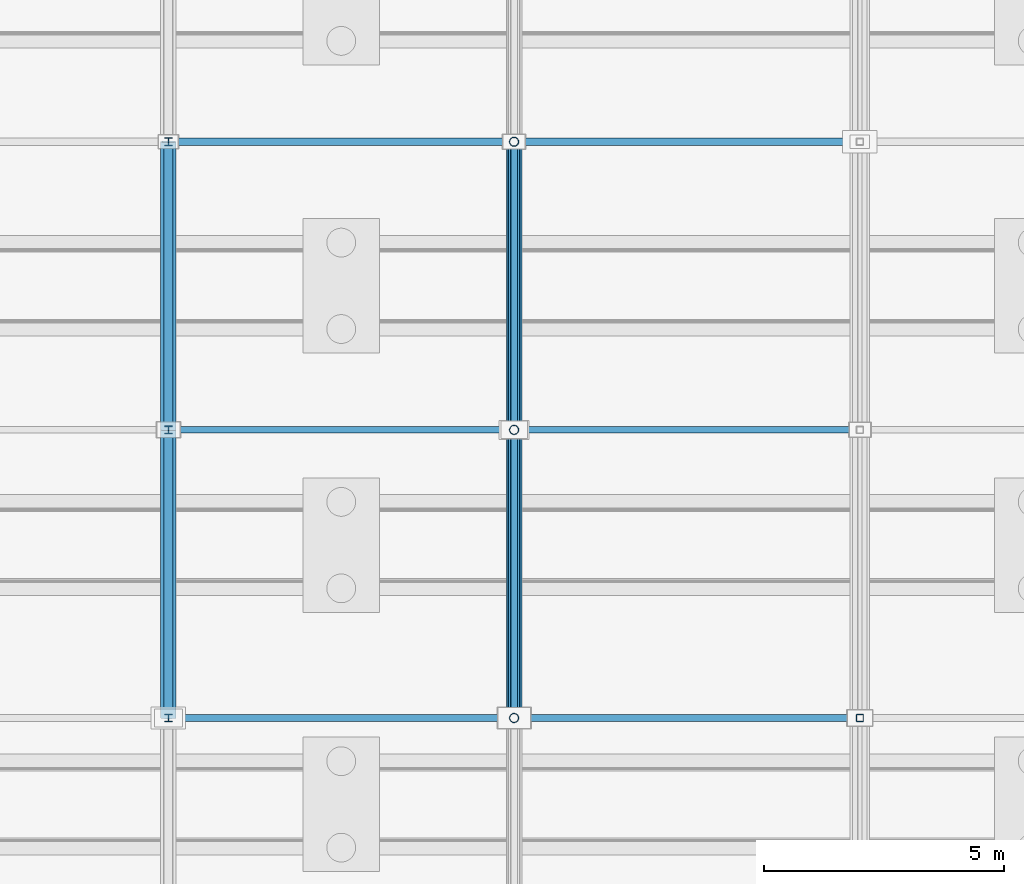
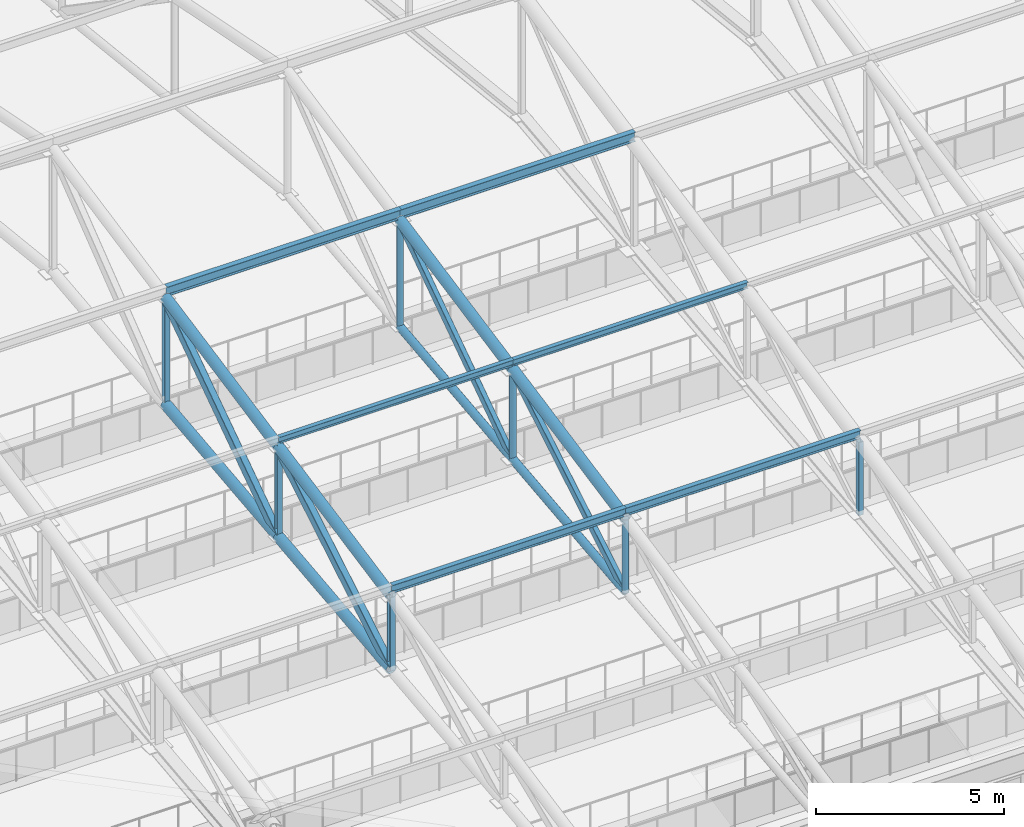
# One storey, part 140 of 293: 25 members.
"""IFC4 building model written with IfcOpenShell, lengths in metres."""

from ifc_helpers import new_model, si_unit, direction, frame, origin, origin_2d, place, context, subcontext, project, spatial, hollow_rectangle, hollow_circle, i_section, extrude, material, material_profile, profile_set, type_object, element, save


model = new_model("IFC4")

# Units and contexts
model_context = context("Model", 3, precision=1e-05, world=origin(), true_north=direction((0.0, 1.0)))
body_context = subcontext(model_context, "Body", "Model", "MODEL_VIEW")
ifc_project = project(units=[si_unit("LENGTHUNIT", "METRE"), si_unit("AREAUNIT", "SQUARE_METRE"), si_unit("VOLUMEUNIT", "CUBIC_METRE"), si_unit("PLANEANGLEUNIT", "RADIAN"), si_unit("MASSUNIT", "GRAM", prefix="KILO")], contexts=[model_context])

# Site, building, storey
site_placement = place(None, origin())
site = spatial("IfcSite", under=ifc_project, at=site_placement, CompositionType="ELEMENT")
building_placement = place(site_placement, origin())
building = spatial("IfcBuilding", under=site, at=building_placement, Name="Kemerveld Promenade Tramway Depot", CompositionType="ELEMENT")
storey_placement = place(building_placement, origin())
storey = spatial("IfcBuildingStorey", under=building, at=storey_placement, Name="L00", CompositionType="ELEMENT", Elevation=0.0)

# Members
ifc_material = material(Name="Steel S355", Category="steel")
ifc_material_profile_1 = material_profile(ifc_material, hollow_rectangle(XDim=0.199951171875, YDim=0.300048828125, WallThickness=0.012451171875, InnerFilletRadius=0.00634765625, OuterFilletRadius=0.018798828125, at=origin_2d()), Name="300x200x12.5 RHS")
ifc_profile_set_1 = profile_set([ifc_material_profile_1], Name="Steel S355")
member_type_1 = type_object("IfcMemberType", Name="MB-M01", PredefinedType="BRACE", material=ifc_profile_set_1)
member_1_placement = place(storey_placement, frame((64.800048828125, 96.0, 11.1201171875), z_axis=(0.0, 0.8587636701, 0.512371895128), x_axis=(-1.0, 0.0, 0.0)))
element("IfcMember", 1, at=member_1_placement, inside=storey, type_object=member_type_1, Name="TR-10-DG-03", PredefinedType="BRACE", context=body_context, shape_type="SweptSolid", body=[
    extrude(hollow_rectangle(XDim=0.199951171875, YDim=0.300048828125, WallThickness=0.012451171875, InnerFilletRadius=0.00634765625, OuterFilletRadius=0.018798828125, at=origin_2d()), origin(), (0.0, 0.0, 1.0), 6.98681640625),
])
member_2_placement = place(storey_placement, frame((64.800048828125, 102.0, 11.780029296875), z_axis=(0.0, 0.824370638462, 0.566050395673), x_axis=(-1.0, 0.0, 0.0)))
element("IfcMember", 2, at=member_2_placement, inside=storey, type_object=member_type_1, Name="TR-10-DG-04", PredefinedType="BRACE", context=body_context, shape_type="SweptSolid", body=[
    extrude(hollow_rectangle(XDim=0.199951171875, YDim=0.300048828125, WallThickness=0.012451171875, InnerFilletRadius=0.00634765625, OuterFilletRadius=0.018798828125, at=origin_2d()), origin(), (0.0, 0.0, 1.0), 7.2783203125),
])
ifc_material_profile_2 = material_profile(ifc_material, hollow_rectangle(XDim=0.14990234375, YDim=0.25, WallThickness=0.010009765625, InnerFilletRadius=0.0048828125, OuterFilletRadius=0.014892578125, at=origin_2d()), Name="250x150x10.0 RHS")
ifc_profile_set_2 = profile_set([ifc_material_profile_2], Name="Steel S355")
member_type_2 = type_object("IfcMemberType", Name="MB-M02", PredefinedType="BRACE", material=ifc_profile_set_2)
member_3_placement = place(storey_placement, frame((72.0, 96.0, 11.1201171875), z_axis=(0.0, 0.8587636701, 0.512371895128), x_axis=(-1.0, 0.0, 0.0)))
element("IfcMember", 3, at=member_3_placement, inside=storey, type_object=member_type_2, Name="TR-11-DG-03", PredefinedType="BRACE", context=body_context, shape_type="SweptSolid", body=[
    extrude(hollow_rectangle(XDim=0.14990234375, YDim=0.25, WallThickness=0.010009765625, InnerFilletRadius=0.0048828125, OuterFilletRadius=0.014892578125, at=origin_2d()), origin(), (0.0, 0.0, 1.0), 6.98681640625),
])
member_4_placement = place(storey_placement, frame((72.0, 102.0, 11.780029296875), z_axis=(0.0, 0.824370638462, 0.566050395673), x_axis=(-1.0, 0.0, 0.0)))
element("IfcMember", 4, at=member_4_placement, inside=storey, type_object=member_type_2, Name="TR-11-DG-04", PredefinedType="BRACE", context=body_context, shape_type="SweptSolid", body=[
    extrude(hollow_rectangle(XDim=0.14990234375, YDim=0.25, WallThickness=0.010009765625, InnerFilletRadius=0.0048828125, OuterFilletRadius=0.014892578125, at=origin_2d()), origin(), (0.0, 0.0, 1.0), 7.2783203125),
])
ifc_material_profile_3 = material_profile(ifc_material, i_section(OverallWidth=0.154296875, OverallDepth=0.161865234375, WebThickness=0.008056640625, FlangeThickness=0.011474609375, FilletRadius=0.007568359375, at=origin_2d()), Name="152x152x37 UC")
ifc_profile_set_3 = profile_set([ifc_material_profile_3], Name="Steel S355")
member_type_3 = type_object("IfcMemberType", Name="MB-M05", PredefinedType="POST", material=ifc_profile_set_3)
member_5_placement = place(storey_placement, frame((64.800048828125, 96.0, 11.1201171875), z_axis=(0.0, 0.0, 1.0), x_axis=(1.0, 0.0, 0.0)))
element("IfcMember", 5, at=member_5_placement, inside=storey, type_object=member_type_3, Name="TR-10-VT-02", PredefinedType="POST", context=body_context, shape_type="SweptSolid", body=[
    extrude(i_section(OverallWidth=0.154296875, OverallDepth=0.161865234375, WebThickness=0.008056640625, FlangeThickness=0.011474609375, FilletRadius=0.007568359375, at=origin_2d()), origin(), (0.0, 0.0, 1.0), 2.3798828125),
])
member_6_placement = place(storey_placement, frame((64.800048828125, 102.0, 11.780029296875), z_axis=(0.0, 0.0, 1.0), x_axis=(1.0, 0.0, 0.0)))
element("IfcMember", 6, at=member_6_placement, inside=storey, type_object=member_type_3, Name="TR-10-VT-03", PredefinedType="POST", context=body_context, shape_type="SweptSolid", body=[
    extrude(i_section(OverallWidth=0.154296875, OverallDepth=0.161865234375, WebThickness=0.008056640625, FlangeThickness=0.011474609375, FilletRadius=0.007568359375, at=origin_2d()), origin(), (0.0, 0.0, 1.0), 2.919921875),
])
member_7_placement = place(storey_placement, frame((64.800048828125, 108.0, 12.43994140625), z_axis=(0.0, 0.0, 1.0), x_axis=(1.0, 0.0, 0.0)))
element("IfcMember", 7, at=member_7_placement, inside=storey, type_object=member_type_3, Name="TR-10-VT-04", PredefinedType="POST", context=body_context, shape_type="SweptSolid", body=[
    extrude(i_section(OverallWidth=0.154296875, OverallDepth=0.161865234375, WebThickness=0.008056640625, FlangeThickness=0.011474609375, FilletRadius=0.007568359375, at=origin_2d()), origin(), (0.0, 0.0, 1.0), 3.4599609375),
])
ifc_material_profile_4 = material_profile(ifc_material, i_section(OverallWidth=0.165771484375, OverallDepth=0.306640625, WebThickness=0.006591796875, FlangeThickness=0.01171875, FilletRadius=0.0087890625, at=origin_2d()), Name="305x165x46 UB")
ifc_profile_set_4 = profile_set([ifc_material_profile_4], Name="Steel S355")
member_type_4 = type_object("IfcMemberType", Name="MB-M06", PredefinedType="PURLIN", material=ifc_profile_set_4)
for number, where, z_axis, x_axis, name in (
    (8, (64.800048828125, 108.0, 16.14501953125), (1.0, 0.0, 0.0), (0.0, 1.0, 0.0), "PUR-V1-04-10"),
    (9, (72.0, 108.0, 16.14501953125), (1.0, 0.0, 0.0), (0.0, 1.0, 0.0), "PUR-V1-04-11"),
):
    element("IfcMember", number, at=place(storey_placement, frame(where, z_axis=z_axis, x_axis=x_axis)), inside=storey, type_object=member_type_4, Name=name, PredefinedType="PURLIN", context=body_context, shape_type="SweptSolid", body=[
        extrude(i_section(OverallWidth=0.165771484375, OverallDepth=0.306640625, WebThickness=0.006591796875, FlangeThickness=0.01171875, FilletRadius=0.0087890625, at=origin_2d()), origin(), (0.0, 0.0, 1.0), 7.199951171875),
    ])
ifc_material_profile_5 = material_profile(ifc_material, i_section(OverallWidth=0.146484375, OverallDepth=0.256103515625, WebThickness=0.00634765625, FlangeThickness=0.010986328125, FilletRadius=0.007568359375, at=origin_2d()), Name="254x146x37 UB")
ifc_profile_set_5 = profile_set([ifc_material_profile_5], Name="Steel S355")
member_type_5 = type_object("IfcMemberType", Name="MB-PR3", PredefinedType="PURLIN", material=ifc_profile_set_5)
for number, where, z_axis, x_axis, name in (
    (10, (64.800048828125, 96.0, 13.7451171875), (1.0, 0.0, 0.0), (0.0, 1.0, 0.0), "PUR-V1-02-10"),
    (11, (72.0, 96.0, 13.7451171875), (1.0, 0.0, 0.0), (0.0, 1.0, 0.0), "PUR-V1-02-11"),
):
    element("IfcMember", number, at=place(storey_placement, frame(where, z_axis=z_axis, x_axis=x_axis)), inside=storey, type_object=member_type_5, Name=name, PredefinedType="PURLIN", context=body_context, shape_type="SweptSolid", body=[
        extrude(i_section(OverallWidth=0.146484375, OverallDepth=0.256103515625, WebThickness=0.00634765625, FlangeThickness=0.010986328125, FilletRadius=0.007568359375, at=origin_2d()), origin(), (0.0, 0.0, 1.0), 7.199951171875),
    ])
ifc_material_profile_6 = material_profile(ifc_material, i_section(OverallWidth=0.13330078125, OverallDepth=0.203125, WebThickness=0.005615234375, FlangeThickness=0.0078125, FilletRadius=0.007568359375, at=origin_2d()), Name="203x133x25 UB")
ifc_profile_set_6 = profile_set([ifc_material_profile_6], Name="Steel S355")
member_type_6 = type_object("IfcMemberType", Name="MB-PR4", PredefinedType="PURLIN", material=ifc_profile_set_6)
for number, where, z_axis, x_axis, name in (
    (12, (64.800048828125, 102.0, 14.945068359375), (1.0, 0.0, 0.0), (0.0, 1.0, 0.0), "PUR-V1-03-10"),
    (13, (72.0, 102.0, 14.945068359375), (1.0, 0.0, 0.0), (0.0, 1.0, 0.0), "PUR-V1-03-11"),
):
    element("IfcMember", number, at=place(storey_placement, frame(where, z_axis=z_axis, x_axis=x_axis)), inside=storey, type_object=member_type_6, Name=name, PredefinedType="PURLIN", context=body_context, shape_type="SweptSolid", body=[
        extrude(i_section(OverallWidth=0.13330078125, OverallDepth=0.203125, WebThickness=0.005615234375, FlangeThickness=0.0078125, FilletRadius=0.007568359375, at=origin_2d()), origin(), (0.0, 0.0, 1.0), 7.199951171875),
    ])
ifc_material_profile_7 = material_profile(ifc_material, hollow_circle(Radius=0.161865234375, WallThickness=0.012451171875, at=origin_2d()), Name="323.9x12.5 CHS")
ifc_profile_set_7 = profile_set([ifc_material_profile_7], Name="Steel S355")
member_type_7 = type_object("IfcMemberType", Name="MB-TC2", PredefinedType="CHORD", material=ifc_profile_set_7)
member_8_placement = place(storey_placement, frame((64.800048828125, 96.0, 13.5), z_axis=(0.0, 0.980582210276, 0.196108462057), x_axis=(-1.0, 0.0, 0.0)))
element("IfcMember", 14, at=member_8_placement, inside=storey, type_object=member_type_7, Name="TR-10-TC-03", PredefinedType="CHORD", context=body_context, shape_type="SweptSolid", body=[
    extrude(hollow_circle(Radius=0.161865234375, WallThickness=0.012451171875, at=origin_2d()), origin(), (0.0, 0.0, 1.0), 6.118896484375),
])
member_9_placement = place(storey_placement, frame((64.800048828125, 96.0, 11.1201171875), z_axis=(0.0, 0.994005938353, 0.109326092585), x_axis=(-1.0, 0.0, 0.0)))
element("IfcMember", 15, at=member_9_placement, inside=storey, type_object=member_type_7, Name="TR-10-BC-03", PredefinedType="CHORD", context=body_context, shape_type="SweptSolid", body=[
    extrude(hollow_circle(Radius=0.161865234375, WallThickness=0.012451171875, at=origin_2d()), origin(), (0.0, 0.0, 1.0), 6.0361328125),
])
member_10_placement = place(storey_placement, frame((64.800048828125, 102.0, 14.699951171875), z_axis=(0.0, 0.980582210276, 0.196108462057), x_axis=(-1.0, 0.0, 0.0)))
element("IfcMember", 16, at=member_10_placement, inside=storey, type_object=member_type_7, Name="TR-10-TC-04", PredefinedType="CHORD", context=body_context, shape_type="SweptSolid", body=[
    extrude(hollow_circle(Radius=0.161865234375, WallThickness=0.012451171875, at=origin_2d()), origin(), (0.0, 0.0, 1.0), 6.118896484375),
])
member_11_placement = place(storey_placement, frame((64.800048828125, 102.0, 11.780029296875), z_axis=(0.0, 0.994005938353, 0.109326092585), x_axis=(-1.0, 0.0, 0.0)))
element("IfcMember", 17, at=member_11_placement, inside=storey, type_object=member_type_7, Name="TR-10-BC-04", PredefinedType="CHORD", context=body_context, shape_type="SweptSolid", body=[
    extrude(hollow_circle(Radius=0.161865234375, WallThickness=0.012451171875, at=origin_2d()), origin(), (0.0, 0.0, 1.0), 6.0361328125),
])
for number, where, z_axis, x_axis, name in (
    (18, (72.0, 96.0, 13.5), (0.0, 0.980582210276, 0.196108462057), (-1.0, 0.0, 0.0), "TR-11-TC-03"),
    (19, (72.0, 102.0, 14.699951171875), (0.0, 0.980582210276, 0.196108462057), (-1.0, 0.0, 0.0), "TR-11-TC-04"),
):
    element("IfcMember", number, at=place(storey_placement, frame(where, z_axis=z_axis, x_axis=x_axis)), inside=storey, type_object=member_type_7, Name=name, PredefinedType="CHORD", context=body_context, shape_type="SweptSolid", body=[
        extrude(hollow_circle(Radius=0.161865234375, WallThickness=0.012451171875, at=origin_2d()), origin(), (0.0, 0.0, 1.0), 6.118896484375),
    ])
ifc_material_profile_8 = material_profile(ifc_material, hollow_circle(Radius=0.122314453125, WallThickness=0.010009765625, at=origin_2d()), Name="244.5x10.0 CHS")
ifc_profile_set_8 = profile_set([ifc_material_profile_8], Name="Steel S355")
member_type_8 = type_object("IfcMemberType", Name="MB-TC3", PredefinedType="CHORD", material=ifc_profile_set_8)
for number, where, z_axis, x_axis, name in (
    (20, (72.0, 96.0, 11.1201171875), (0.0, 0.994005938353, 0.109326092585), (-1.0, 0.0, 0.0), "TR-11-BC-03"),
    (21, (72.0, 102.0, 11.780029296875), (0.0, 0.994005938353, 0.109326092585), (-1.0, 0.0, 0.0), "TR-11-BC-04"),
):
    element("IfcMember", number, at=place(storey_placement, frame(where, z_axis=z_axis, x_axis=x_axis)), inside=storey, type_object=member_type_8, Name=name, PredefinedType="CHORD", context=body_context, shape_type="SweptSolid", body=[
        extrude(hollow_circle(Radius=0.122314453125, WallThickness=0.010009765625, at=origin_2d()), origin(), (0.0, 0.0, 1.0), 6.0361328125),
    ])
ifc_material_profile_9 = material_profile(ifc_material, hollow_circle(Radius=0.096923828125, WallThickness=0.008056640625, at=origin_2d()), Name="193.7x8.0 CHS")
ifc_profile_set_9 = profile_set([ifc_material_profile_9], Name="Steel S355")
member_type_9 = type_object("IfcMemberType", Name="MB-TP1", PredefinedType="POST", material=ifc_profile_set_9)
member_12_placement = place(storey_placement, frame((72.0, 96.0, 11.1201171875), z_axis=(0.0, 0.0, 1.0), x_axis=(1.0, 0.0, 0.0)))
element("IfcMember", 22, at=member_12_placement, inside=storey, type_object=member_type_9, Name="TR-11-VT-02", PredefinedType="POST", context=body_context, shape_type="SweptSolid", body=[
    extrude(hollow_circle(Radius=0.096923828125, WallThickness=0.008056640625, at=origin_2d()), origin(), (0.0, 0.0, 1.0), 2.3798828125),
])
member_13_placement = place(storey_placement, frame((72.0, 102.0, 11.780029296875), z_axis=(0.0, 0.0, 1.0), x_axis=(1.0, 0.0, 0.0)))
element("IfcMember", 23, at=member_13_placement, inside=storey, type_object=member_type_9, Name="TR-11-VT-03", PredefinedType="POST", context=body_context, shape_type="SweptSolid", body=[
    extrude(hollow_circle(Radius=0.096923828125, WallThickness=0.008056640625, at=origin_2d()), origin(), (0.0, 0.0, 1.0), 2.919921875),
])
member_14_placement = place(storey_placement, frame((72.0, 108.0, 12.43994140625), z_axis=(0.0, 0.0, 1.0), x_axis=(1.0, 0.0, 0.0)))
element("IfcMember", 24, at=member_14_placement, inside=storey, type_object=member_type_9, Name="TR-11-VT-04", PredefinedType="POST", context=body_context, shape_type="SweptSolid", body=[
    extrude(hollow_circle(Radius=0.096923828125, WallThickness=0.008056640625, at=origin_2d()), origin(), (0.0, 0.0, 1.0), 3.4599609375),
])
ifc_material_profile_10 = material_profile(ifc_material, hollow_rectangle(XDim=0.14990234375, YDim=0.14990234375, WallThickness=0.008056640625, InnerFilletRadius=0.00390625, OuterFilletRadius=0.011962890625, at=origin_2d()), Name="150x150x8.0 SHS")
ifc_profile_set_10 = profile_set([ifc_material_profile_10], Name="Steel S355")
member_type_10 = type_object("IfcMemberType", Name="MB-TP2", PredefinedType="POST", material=ifc_profile_set_10)
member_15_placement = place(storey_placement, frame((79.199951171875, 96.0, 11.1201171875), z_axis=(0.0, 0.0, 1.0), x_axis=(1.0, 0.0, 0.0)))
element("IfcMember", 25, at=member_15_placement, inside=storey, type_object=member_type_10, Name="TR-12-VT-02", PredefinedType="POST", context=body_context, shape_type="SweptSolid", body=[
    extrude(hollow_rectangle(XDim=0.14990234375, YDim=0.14990234375, WallThickness=0.008056640625, InnerFilletRadius=0.00390625, OuterFilletRadius=0.011962890625, at=origin_2d()), origin(), (0.0, 0.0, 1.0), 2.3798828125),
])

save(model, "model.ifc")
